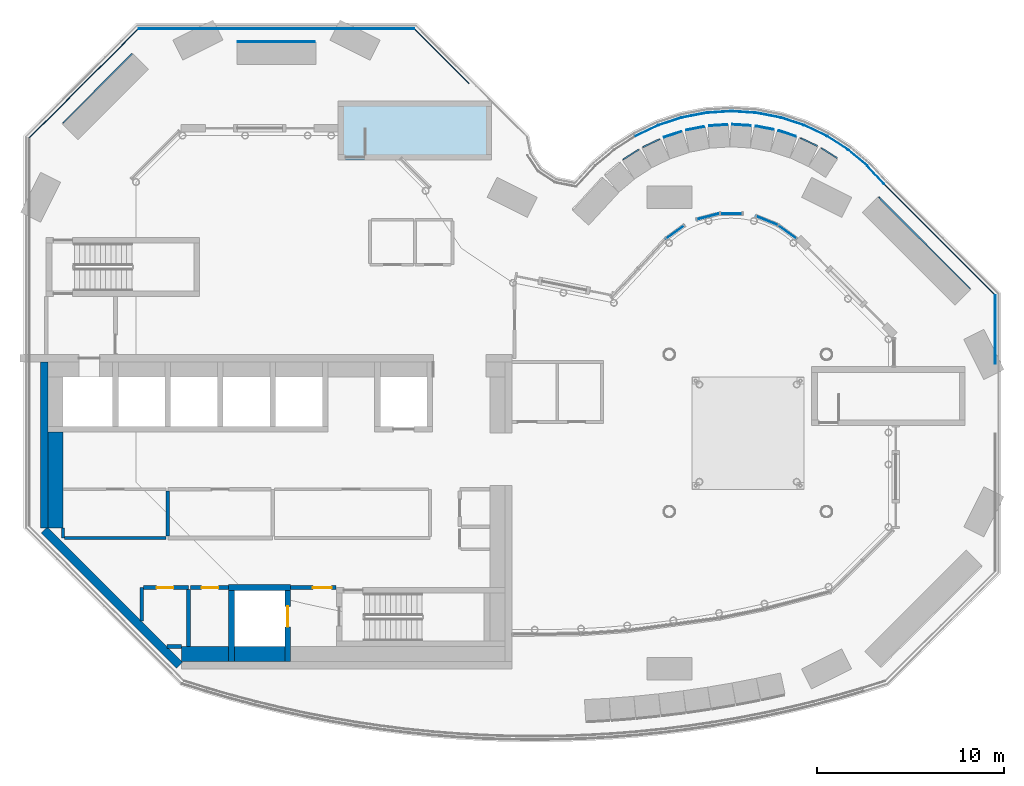
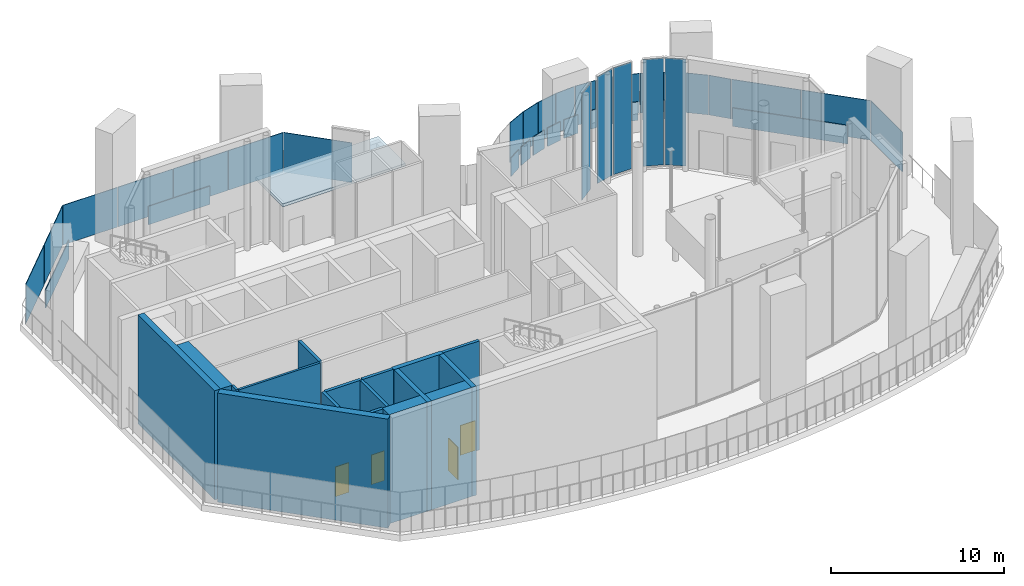
# One storey, part 7 of 14: 39 plates, 17 walls, 4 doors, 1 slab, 4 openings, 5 elements without a shape of their own.
"""IFC4 building model written with IfcOpenShell, lengths in metres."""

from ifc_helpers import new_model, si_unit, direction, frame, frame_2d, origin, origin_2d, place, context, subcontext, project, spatial, polyline, rectangle, outline, extrude, material, layer, layer_set, type_object, element, fill, aggregate, save


model = new_model("IFC4")

# Units and contexts
model_context = context("Model", 3, precision=1e-05, world=origin(), true_north=direction((0.0, 1.0)))
body_context = subcontext(model_context, "Body", "Model", "MODEL_VIEW")
ifc_project = project(units=[si_unit("LENGTHUNIT", "METRE"), si_unit("AREAUNIT", "SQUARE_METRE"), si_unit("VOLUMEUNIT", "CUBIC_METRE"), si_unit("PLANEANGLEUNIT", "RADIAN"), si_unit("MASSUNIT", "GRAM", prefix="KILO")], contexts=[model_context])

# Site, building, storey
site_placement = place(None, origin())
site = spatial("IfcSite", under=ifc_project, at=site_placement, CompositionType="ELEMENT")
building_placement = place(site_placement, origin())
building = spatial("IfcBuilding", under=site, at=building_placement, Name="Brevane Broadcast Tower", CompositionType="ELEMENT")
storey_placement = place(building_placement, frame((0.0, 0.0, 256.199951171875)))
storey = spatial("IfcBuildingStorey", under=building, at=storey_placement, Name="L65", CompositionType="ELEMENT", Elevation=256.199951171875)

# Curtain wall, plate
ifc_material_1 = material(Name="Aluminium 6063-T6 bronze anodised", Category="aluminium")
curtain_wall_type = type_object("IfcCurtainWallType", Name="CW-5 curtain wall", PredefinedType="NOTDEFINED", material=ifc_material_1)
curtain_wall_1_placement = place(storey_placement, origin())
curtain_wall_1 = element("IfcCurtainWall", 1, at=curtain_wall_1_placement, inside=storey, type_object=curtain_wall_type, Name="CW-5 hall glazing 10", PredefinedType="NOTDEFINED")
ifc_material_2 = material(Name="Laminated glass bronze-tinted", Category="glass")
ifc_layer_1 = layer(ifc_material_2, 0.0400390625)
ifc_layer_set_1 = layer_set([ifc_layer_1], Name="CW tall glass panel 40")
plate_type_1 = type_object("IfcPlateType", Name="CW tall glass panel 40", PredefinedType="CURTAIN_PANEL", material=ifc_layer_set_1)
plate_1_placement = place(storey_placement, frame((39.89404296875, 23.344482421875, 0.080078125), z_axis=(0.0, 0.0, 1.0), x_axis=(-0.80514002103, 0.593084771795, 0.0)))
plate_1 = element("IfcPlate", 2, at=plate_1_placement, type_object=plate_type_1, Name="Hall glass panel", PredefinedType="CURTAIN_PANEL", context=body_context, shape_type="SweptSolid", body=[
    extrude(rectangle(XDim=1.203369140625, YDim=0.0400390625, at=origin_2d()), origin(), (0.0, 0.0, 1.0), 7.5400390625),
])
aggregate(curtain_wall_1, [plate_1])

curtain_wall_2_placement = place(storey_placement, origin())
curtain_wall_2 = element("IfcCurtainWall", 3, at=curtain_wall_2_placement, inside=storey, type_object=curtain_wall_type, Name="CW-5 hall glazing 11", PredefinedType="NOTDEFINED")
plate_2_placement = place(storey_placement, frame((38.77685546875, 23.96630859375, 0.080078125), z_axis=(0.0, 0.0, 1.0), x_axis=(-0.92831916405, 0.371784251491, 0.0)))
plate_2 = element("IfcPlate", 4, at=plate_2_placement, type_object=plate_type_1, Name="Hall glass panel", PredefinedType="CURTAIN_PANEL", context=body_context, shape_type="SweptSolid", body=[
    extrude(rectangle(XDim=1.203369140625, YDim=0.0400390625, at=origin_2d()), origin(), (0.0, 0.0, 1.0), 7.5400390625),
])
aggregate(curtain_wall_2, [plate_2])

curtain_wall_3_placement = place(storey_placement, origin())
curtain_wall_3 = element("IfcCurtainWall", 5, at=curtain_wall_3_placement, inside=storey, type_object=curtain_wall_type, Name="CW-5 hall glazing 12", PredefinedType="NOTDEFINED")
plate_3_placement = place(storey_placement, frame((36.89990234375, 24.328125, 0.080078125), z_axis=(0.0, 0.0, 1.0), x_axis=(-1.0, 0.0, 0.0)))
plate_3 = element("IfcPlate", 6, at=plate_3_placement, type_object=plate_type_1, Name="Hall glass panel", PredefinedType="CURTAIN_PANEL", context=body_context, shape_type="SweptSolid", body=[
    extrude(rectangle(XDim=1.203369140625, YDim=0.0400390625, at=origin_2d()), origin(), (0.0, 0.0, 1.0), 7.5400390625),
])
aggregate(curtain_wall_3, [plate_3])

curtain_wall_4_placement = place(storey_placement, origin())
curtain_wall_4 = element("IfcCurtainWall", 7, at=curtain_wall_4_placement, inside=storey, type_object=curtain_wall_type, Name="CW-5 hall glazing 13", PredefinedType="NOTDEFINED")
plate_4_placement = place(storey_placement, frame((35.6318359375, 24.166259765625, 0.080078125), z_axis=(0.0, 0.0, 1.0), x_axis=(-0.967926714692, -0.251232710819, 0.0)))
plate_4 = element("IfcPlate", 8, at=plate_4_placement, type_object=plate_type_1, Name="Hall glass panel", PredefinedType="CURTAIN_PANEL", context=body_context, shape_type="SweptSolid", body=[
    extrude(rectangle(XDim=1.203369140625, YDim=0.0400390625, at=origin_2d()), origin(), (0.0, 0.0, 1.0), 7.5400390625),
])
aggregate(curtain_wall_4, [plate_4])

curtain_wall_5_placement = place(storey_placement, origin())
curtain_wall_5 = element("IfcCurtainWall", 9, at=curtain_wall_5_placement, inside=storey, type_object=curtain_wall_type, Name="CW-5 hall glazing 14", PredefinedType="NOTDEFINED")
plate_5_placement = place(storey_placement, frame((33.906005859375, 23.344482421875, 0.080078125), z_axis=(0.0, 0.0, 1.0), x_axis=(-0.80514002103, -0.593084771795, 0.0)))
plate_5 = element("IfcPlate", 10, at=plate_5_placement, type_object=plate_type_1, Name="Hall glass panel", PredefinedType="CURTAIN_PANEL", context=body_context, shape_type="SweptSolid", body=[
    extrude(rectangle(XDim=1.203369140625, YDim=0.0400390625, at=origin_2d()), origin(), (0.0, 0.0, 1.0), 7.5400390625),
])
aggregate(curtain_wall_5, [plate_5])

# Plates
ifc_material_3 = material(Name="Laminated glass clear", Category="glass")
ifc_layer_2 = layer(ifc_material_3, 0.0400390625)
ifc_layer_set_2 = layer_set([ifc_layer_2], Name="Deck wind screen 2800")
plate_type_2 = type_object("IfcPlateType", Name="Deck wind screen 2800", PredefinedType="SHEET", material=ifc_layer_set_2)
for number, where, z_axis, x_axis, name in (
    (11, (0.85595703125, 29.831787109375, 0.0), (0.0, 0.0, 1.0), (0.707106781187, 0.707106781187, 0.0), "Deck wind screen"),
    (12, (3.768310546875, 32.743896484375, 0.0), (0.0, 0.0, 1.0), (0.707106781187, 0.707106781187, 0.0), "Deck wind screen"),
):
    element("IfcPlate", number, at=place(storey_placement, frame(where, z_axis=z_axis, x_axis=x_axis)), inside=storey, type_object=plate_type_2, Name=name, PredefinedType="SHEET", context=body_context, shape_type="SweptSolid", body=[
        extrude(rectangle(XDim=4.078369140625, YDim=0.0400390625, at=origin_2d()), origin(), (0.0, 0.0, 1.0), 2.800048828125),
    ])
for number, where, z_axis, x_axis, name in (
    (13, (7.068115234375, 34.199951171875, 0.0), (0.0, 0.0, 1.0), (1.0, 0.0, 0.0), "Deck wind screen"),
    (14, (10.756103515625, 34.199951171875, 0.0), (0.0, 0.0, 1.0), (1.0, 0.0, 0.0), "Deck wind screen"),
    (15, (14.44384765625, 34.199951171875, 0.0), (0.0, 0.0, 1.0), (1.0, 0.0, 0.0), "Deck wind screen"),
    (16, (18.1318359375, 34.199951171875, 0.0), (0.0, 0.0, 1.0), (1.0, 0.0, 0.0), "Deck wind screen"),
):
    element("IfcPlate", number, at=place(storey_placement, frame(where, z_axis=z_axis, x_axis=x_axis)), inside=storey, type_object=plate_type_2, Name=name, PredefinedType="SHEET", context=body_context, shape_type="SweptSolid", body=[
        extrude(rectangle(XDim=3.64794921875, YDim=0.0400390625, at=origin_2d()), origin(), (0.0, 0.0, 1.0), 2.800048828125),
    ])
plate_6_placement = place(storey_placement, frame((21.437744140625, 32.738037109375, 0.0), z_axis=(0.0, 0.0, 1.0), x_axis=(0.707106781187, -0.707106781187, 0.0)))
element("IfcPlate", 17, at=plate_6_placement, inside=storey, type_object=plate_type_2, Name="Deck wind screen", PredefinedType="SHEET", context=body_context, shape_type="SweptSolid", body=[
    extrude(rectangle(XDim=4.094970703125, YDim=0.0400390625, at=origin_2d()), origin(), (0.0, 0.0, 1.0), 2.800048828125),
])
for number, where, z_axis, x_axis, name in (
    (18, (32.386474609375, 28.75830078125, 0.0), (0.0, 0.0, 1.0), (0.902860451507, 0.429933721758, 0.0), "Deck wind screen"),
    (19, (33.623046875, 29.253662109375, 0.0), (0.0, 0.0, 1.0), (0.950037087087, 0.312137042274, 0.0), "Deck wind screen"),
    (20, (34.91259765625, 29.58837890625, 0.0), (0.0, 0.0, 1.0), (0.981916174558, 0.189316206757, 0.0), "Deck wind screen"),
    (21, (36.23388671875, 29.757080078125, 0.0), (0.0, 0.0, 1.0), (0.997985285619, 0.06344580119, 0.0), "Deck wind screen"),
    (22, (37.566162109375, 29.757080078125, 0.0), (0.0, 0.0, 1.0), (0.997985285619, -0.06344580119, 0.0), "Deck wind screen"),
    (23, (38.887451171875, 29.58837890625, 0.0), (0.0, 0.0, 1.0), (0.981916174558, -0.189316206757, 0.0), "Deck wind screen"),
    (24, (40.177001953125, 29.253662109375, 0.0), (0.0, 0.0, 1.0), (0.950037087087, -0.312137042274, 0.0), "Deck wind screen"),
    (25, (41.41357421875, 28.75830078125, 0.0), (0.0, 0.0, 1.0), (0.902860451507, -0.429933721758, 0.0), "Deck wind screen"),
    (26, (42.577392578125, 28.110595703125, 0.0), (0.0, 0.0, 1.0), (0.841146502794, -0.54080732321, 0.0), "Deck wind screen"),
    (27, (43.650146484375, 27.320556640625, 0.0), (0.0, 0.0, 1.0), (0.765889367392, -0.642972376479, 0.0), "Deck wind screen"),
):
    element("IfcPlate", number, at=place(storey_placement, frame(where, z_axis=z_axis, x_axis=x_axis)), inside=storey, type_object=plate_type_2, Name=name, PredefinedType="SHEET", context=body_context, shape_type="SweptSolid", body=[
        extrude(rectangle(XDim=1.294921875, YDim=0.0400390625, at=origin_2d()), origin(), (0.0, 0.0, 1.0), 2.800048828125),
    ])
plate_7_placement = place(storey_placement, frame((44.622314453125, 26.3916015625, 0.0), z_axis=(0.0, 0.0, 1.0), x_axis=(0.678300068097, -0.734785014559, 0.0)))
element("IfcPlate", 28, at=plate_7_placement, inside=storey, type_object=plate_type_2, Name="Deck wind screen", PredefinedType="SHEET", context=body_context, shape_type="SweptSolid", body=[
    extrude(rectangle(XDim=1.31982421875, YDim=0.0400390625, at=origin_2d()), origin(), (0.0, 0.0, 1.0), 2.800048828125),
])
for number, where, z_axis, x_axis, name in (
    (29, (46.562744140625, 24.4130859375, 0.0), (0.0, 0.0, 1.0), (0.707106781187, -0.707106781187, 0.0), "Deck wind screen"),
    (30, (49.52099609375, 21.454833984375, 0.0), (0.0, 0.0, 1.0), (0.707106781187, -0.707106781187, 0.0), "Deck wind screen"),
):
    element("IfcPlate", number, at=place(storey_placement, frame(where, z_axis=z_axis, x_axis=x_axis)), inside=storey, type_object=plate_type_2, Name=name, PredefinedType="SHEET", context=body_context, shape_type="SweptSolid", body=[
        extrude(rectangle(XDim=4.1435546875, YDim=0.0400390625, at=origin_2d()), origin(), (0.0, 0.0, 1.0), 2.800048828125),
    ])
plate_8_placement = place(storey_placement, frame((51.0, 18.1318359375, 0.0), z_axis=(0.0, 0.0, 1.0), x_axis=(0.0, -1.0, 0.0)))
element("IfcPlate", 31, at=plate_8_placement, inside=storey, type_object=plate_type_2, Name="Deck wind screen", PredefinedType="SHEET", context=body_context, shape_type="SweptSolid", body=[
    extrude(rectangle(XDim=3.64794921875, YDim=0.0400390625, at=origin_2d()), origin(), (0.0, 0.0, 1.0), 2.800048828125),
])
ifc_material_4 = material(Name="Aluminium bronze anodised", Category="aluminium")
ifc_layer_3 = layer(ifc_material_4, 0.050048828125)
ifc_layer_set_3 = layer_set([ifc_layer_3], Name="Planter fascia plate 1300")
plate_type_3 = type_object("IfcPlateType", Name="Planter fascia plate 1300", PredefinedType="SHEET", material=ifc_layer_set_3)
plate_9_placement = place(storey_placement, frame((49.67529296875, 20.345947265625, 0.0), z_axis=(0.707106781187, 0.707106781187, 0.0), x_axis=(-0.707106781187, 0.707106781187, 0.0)))
element("IfcPlate", 32, at=plate_9_placement, inside=storey, type_object=plate_type_3, Name="Bed fascia L65-10", PredefinedType="SHEET", context=body_context, shape_type="SweptSolid", body=[
    extrude(outline(polyline([(0.0, 0.0), (6.88911211182382, 0.0), (6.88911211182382, 1.3000488281250002), (0.0, 1.3000488281250002), (0.0, 0.0)])), origin(), (0.0, 0.0, -1.0), 0.050048828125),
])
plate_10_placement = place(storey_placement, frame((42.55810546875, 27.320556640625, 0.0), z_axis=(0.540795605546, 0.841154036442, 0.0), x_axis=(-0.841154036442, 0.540795605546, 0.0)))
element("IfcPlate", 33, at=plate_10_placement, inside=storey, type_object=plate_type_3, Name="Bed fascia L65-11", PredefinedType="SHEET", context=body_context, shape_type="SweptSolid", body=[
    extrude(outline(polyline([(0.0, 0.0), (0.9737714632384196, 0.0), (0.9737714632384196, 1.300048828125), (0.0, 1.300048828125), (0.0, 0.0)])), origin(), (0.0, 0.0, -1.0), 0.050048828125),
])
plate_11_placement = place(storey_placement, frame((41.494384765625, 27.972412109375, 0.0), z_axis=(0.429680557836, 0.902980962267, 0.0), x_axis=(-0.902980962267, 0.429680557836, 0.0)))
element("IfcPlate", 34, at=plate_11_placement, inside=storey, type_object=plate_type_3, Name="Bed fascia L65-12", PredefinedType="SHEET", context=body_context, shape_type="SweptSolid", body=[
    extrude(outline(polyline([(0.0, 0.0), (0.9738793706588977, 0.0), (0.9738793706588977, 1.300048828125), (0.0, 1.300048828125), (0.0, 0.0)])), origin(), (0.0, 0.0, -1.0), 0.050048828125),
])
plate_12_placement = place(storey_placement, frame((40.356689453125, 28.484130859375, 0.0), z_axis=(0.312088645946, 0.950052986455, 0.0), x_axis=(-0.950052986455, 0.312088645946, 0.0)))
element("IfcPlate", 35, at=plate_12_placement, inside=storey, type_object=plate_type_3, Name="Bed fascia L65-13", PredefinedType="SHEET", context=body_context, shape_type="SweptSolid", body=[
    extrude(outline(polyline([(0.0, 0.0), (0.9739382770669625, 0.0), (0.9739382770669625, 1.300048828125), (0.0, 1.300048828125), (0.0, 0.0)])), origin(), (0.0, 0.0, -1.0), 0.050048828125),
])
plate_13_placement = place(storey_placement, frame((39.1630859375, 28.84765625, 0.0), z_axis=(0.189554118391, 0.981870274629, 0.0), x_axis=(-0.981870274629, 0.189554118391, 0.0)))
element("IfcPlate", 36, at=plate_13_placement, inside=storey, type_object=plate_type_3, Name="Bed fascia L65-14", PredefinedType="SHEET", context=body_context, shape_type="SweptSolid", body=[
    extrude(outline(polyline([(0.0, 0.0), (0.9737077414435352, 0.0), (0.9737077414435352, 1.3000488281250002), (0.0, 1.3000488281250002), (0.0, 0.0)])), origin(), (0.0, 0.0, -1.0), 0.050048828125),
])
plate_14_placement = place(storey_placement, frame((37.933349609375, 29.057373046875, 0.0), z_axis=(0.063423920906, 0.997986676392, 0.0), x_axis=(-0.997986676392, 0.063423920906, 0.0)))
element("IfcPlate", 37, at=plate_14_placement, inside=storey, type_object=plate_type_3, Name="Bed fascia L65-15", PredefinedType="SHEET", context=body_context, shape_type="SweptSolid", body=[
    extrude(outline(polyline([(0.0, 0.0), (0.9738845729266803, 0.0), (0.9738845729266803, 1.300048828125), (0.0, 1.300048828125), (0.0, 0.0)])), origin(), (0.0, 0.0, -1.0), 0.050048828125),
])
plate_15_placement = place(storey_placement, frame((36.686767578125, 29.109375, 0.0), z_axis=(-0.063439792438, 0.9979856676, 0.0), x_axis=(-0.9979856676, -0.063439792438, 0.0)))
element("IfcPlate", 38, at=plate_15_placement, inside=storey, type_object=plate_type_3, Name="Bed fascia L65-16", PredefinedType="SHEET", context=body_context, shape_type="SweptSolid", body=[
    extrude(outline(polyline([(0.0, 0.0), (0.9736409239588923, 0.0), (0.9736409239588923, 1.300048828125), (0.0, 1.300048828125), (0.0, 0.0)])), origin(), (0.0, 0.0, -1.0), 0.050048828125),
])
plate_16_placement = place(storey_placement, frame((35.44384765625, 29.00341796875, 0.0), z_axis=(-0.189265777771, 0.981925896066, 0.0), x_axis=(-0.981925896066, -0.189265777771, 0.0)))
element("IfcPlate", 39, at=plate_16_placement, inside=storey, type_object=plate_type_3, Name="Bed fascia L65-17", PredefinedType="SHEET", context=body_context, shape_type="SweptSolid", body=[
    extrude(outline(polyline([(0.0, 0.0), (0.9739012199968436, 0.0), (0.9739012199968436, 1.3000488281250002), (0.0, 1.3000488281250002), (0.0, 0.0)])), origin(), (0.0, 0.0, -1.0), 0.050048828125),
])
plate_17_placement = place(storey_placement, frame((34.22412109375, 28.74072265625, 0.0), z_axis=(-0.312162987609, 0.95002856229, 0.0), x_axis=(-0.95002856229, -0.312162987609, 0.0)))
element("IfcPlate", 40, at=plate_17_placement, inside=storey, type_object=plate_type_3, Name="Bed fascia L65-18", PredefinedType="SHEET", context=body_context, shape_type="SweptSolid", body=[
    extrude(outline(polyline([(0.0, 0.0), (0.9737063335181767, 0.0), (0.9737063335181767, 1.300048828125), (0.0, 1.300048828125), (0.0, 0.0)])), origin(), (0.0, 0.0, -1.0), 0.050048828125),
])
plate_18_placement = place(storey_placement, frame((33.047607421875, 28.32568359375, 0.0), z_axis=(-0.429982240476, 0.902837345747, 0.0), x_axis=(-0.902837345747, -0.429982240476, 0.0)))
element("IfcPlate", 41, at=plate_18_placement, inside=storey, type_object=plate_type_3, Name="Bed fascia L65-19", PredefinedType="SHEET", context=body_context, shape_type="SweptSolid", body=[
    extrude(outline(polyline([(0.0, 0.0), (0.9737638731569314, 0.0), (0.9737638731569314, 1.3000488281250002), (0.0, 1.3000488281250002), (0.0, 0.0)])), origin(), (0.0, 0.0, -1.0), 0.050048828125),
])
plate_19_placement = place(storey_placement, frame((31.93310546875, 27.764892578125, 0.0), z_axis=(-0.540795605546, 0.841154036442, 0.0), x_axis=(-0.841154036442, -0.540795605546, 0.0)))
element("IfcPlate", 42, at=plate_19_placement, inside=storey, type_object=plate_type_3, Name="Bed fascia L65-20", PredefinedType="SHEET", context=body_context, shape_type="SweptSolid", body=[
    extrude(outline(polyline([(0.0, 0.0), (0.9737714632384196, 0.0), (0.9737714632384196, 1.300048828125), (0.0, 1.300048828125), (0.0, 0.0)])), origin(), (0.0, 0.0, -1.0), 0.050048828125),
])
plate_20_placement = place(storey_placement, frame((14.6533203125, 33.52490234375, 0.0), z_axis=(0.0, 1.0, 0.0), x_axis=(-1.0, 0.0, 0.0)))
element("IfcPlate", 43, at=plate_20_placement, inside=storey, type_object=plate_type_3, Name="Bed fascia L65-23", PredefinedType="SHEET", context=body_context, shape_type="SweptSolid", body=[
    extrude(outline(polyline([(0.0, 0.0), (4.106689453125, 0.0), (4.106689453125, 1.300048828125), (0.0, 1.300048828125), (0.0, 0.0)])), origin(), (0.0, 0.0, -1.0), 0.050048828125),
])
plate_21_placement = place(storey_placement, frame((4.85400390625, 32.875244140625, 0.0), z_axis=(-0.707106781187, 0.707106781187, 0.0), x_axis=(-0.707106781187, -0.707106781187, 0.0)))
element("IfcPlate", 44, at=plate_21_placement, inside=storey, type_object=plate_type_3, Name="Bed fascia L65-24", PredefinedType="SHEET", context=body_context, shape_type="SweptSolid", body=[
    extrude(outline(polyline([(0.0, 0.0), (5.205245035726754, 0.0), (5.205245035726754, 1.3000488281250002), (0.0, 1.3000488281250002), (0.0, 0.0)])), origin(), (0.0, 0.0, -1.0), 0.050048828125),
])

# Slab
ifc_material_5 = material(Name="Concrete C50/60", Category="concrete")
ifc_layer_4 = layer(ifc_material_5, 0.199951171875)
ifc_layer_set_4 = layer_set([ifc_layer_4], Name="Stair head-house roof slab 200 mm")
slab_type = type_object("IfcSlabType", Name="Stair head-house roof slab 200 mm", PredefinedType="ROOF", material=ifc_layer_set_4)
slab_placement = place(storey_placement, frame((0.0, 0.0, 3.199951171875)))
element("IfcSlab", 45, at=slab_placement, inside=storey, type_object=slab_type, Name="Exit stair ST-3 head-house roof", PredefinedType="ROOF", context=body_context, shape_type="SweptSolid", body=[
    extrude(outline(polyline([(15.89990234375, 27.199951171875), (24.10009765625, 27.199951171875), (24.10009765625, 30.35009765625), (15.89990234375, 30.35009765625), (15.89990234375, 27.199951171875)])), origin(), (0.0, 0.0, 1.0), 0.2001953125),
])

# Walls
ifc_material_6 = material(Name="Concrete C32/40", Category="concrete")
ifc_layer_5 = layer(ifc_material_6, 0.800048828125)
ifc_layer_set_5 = layer_set([ifc_layer_5], Name="Core chase wall 800 mm")
wall_type_1 = type_object("IfcWallType", Name="Core chase wall 800 mm", PredefinedType="PARTITIONING", material=ifc_layer_set_5)
wall_1_placement = place(storey_placement, frame((0.800048828125, 7.536376953125, 0.0), z_axis=(0.0, 0.0, 1.0), x_axis=(0.0, 1.0, 0.0)))
element("IfcWall", 46, at=wall_1_placement, inside=storey, type_object=wall_type_1, Name="L65 chase wall LW-1", PredefinedType="PARTITIONING", context=body_context, shape_type="SweptSolid", body=[
    extrude(rectangle(XDim=5.113525390625, YDim=0.800048828125, at=frame_2d((2.556640625, 0.0))), origin(), (0.0, 0.0, 1.0), 7.699951171875),
])
wall_2_placement = place(storey_placement, frame((7.536376953125, 0.800048828125, 0.0), z_axis=(0.0, 0.0, 1.0), x_axis=(1.0, 0.0, 0.0)))
element("IfcWall", 47, at=wall_2_placement, inside=storey, type_object=wall_type_1, Name="L65 chase wall LS-1", PredefinedType="PARTITIONING", context=body_context, shape_type="SweptSolid", body=[
    extrude(rectangle(XDim=2.513671875, YDim=0.800048828125, at=frame_2d((1.2568359375, 0.0))), origin(), (0.0, 0.0, 1.0), 7.699951171875),
])
wall_3_placement = place(storey_placement, frame((10.35009765625, 0.800048828125, 0.0), z_axis=(0.0, 0.0, 1.0), x_axis=(1.0, 0.0, 0.0)))
element("IfcWall", 48, at=wall_3_placement, inside=storey, type_object=wall_type_1, Name="L65 chase wall LS-2-1", PredefinedType="PARTITIONING", context=body_context, shape_type="SweptSolid", body=[
    extrude(rectangle(XDim=2.699951171875, YDim=0.800048828125, at=frame_2d((1.35009765625, 0.0))), origin(), (0.0, 0.0, 1.0), 7.699951171875),
])
ifc_material_7 = material(Name="Gypsum board on steel studs", Category="steel")
ifc_layer_6 = layer(ifc_material_7, 0.14990234375)
ifc_layer_set_6 = layer_set([ifc_layer_6], Name="Core fire partition 150 mm")
wall_type_2 = type_object("IfcWallType", Name="Core fire partition 150 mm", PredefinedType="PARTITIONING", material=ifc_layer_set_6)
wall_4_placement = place(storey_placement, frame((1.199951171875, 7.5244140625, 0.0), z_axis=(0.0, 0.0, 1.0), x_axis=(0.0, -1.0, 0.0)))
element("IfcWall", 49, at=wall_4_placement, inside=storey, type_object=wall_type_2, Name="L65 partition wall P17", PredefinedType="PARTITIONING", context=body_context, shape_type="SweptSolid", body=[
    extrude(rectangle(XDim=0.5244140625, YDim=0.14990234375, at=frame_2d((0.26220703125, 0.0))), origin(), (0.0, 0.0, 1.0), 7.699951171875),
])
wall_5_placement = place(storey_placement, frame((1.27490234375, 7.0, 0.0), z_axis=(0.0, 0.0, 1.0), x_axis=(1.0, 0.0, 0.0)))
element("IfcWall", 50, at=wall_5_placement, inside=storey, type_object=wall_type_2, Name="L65 partition wall P18", PredefinedType="PARTITIONING", context=body_context, shape_type="SweptSolid", body=[
    extrude(rectangle(XDim=5.425048828125, YDim=0.14990234375, at=frame_2d((2.71240234375, 0.0))), origin(), (0.0, 0.0, 1.0), 7.699951171875),
])

# Wall, opening, door
ifc_layer_7 = layer(ifc_material_7, 0.199951171875)
ifc_layer_set_7 = layer_set([ifc_layer_7], Name="Core fire partition 200 mm")
wall_type_3 = type_object("IfcWallType", Name="Core fire partition 200 mm", PredefinedType="PARTITIONING", material=ifc_layer_set_7)
wall_6_placement = place(storey_placement, frame((13.362060546875, 4.35009765625, 0.0), z_axis=(0.0, 0.0, 1.0), x_axis=(1.0, 0.0, 0.0)))
wall_6 = element("IfcWall", 51, at=wall_6_placement, inside=storey, type_object=wall_type_3, Name="L65 partition wall P03", PredefinedType="PARTITIONING", context=body_context, shape_type="SweptSolid", body=[
    extrude(rectangle(XDim=2.426025390625, YDim=0.199951171875, at=frame_2d((1.212890625, 0.0))), origin(), (0.0, 0.0, 1.0), 7.699951171875),
])
opening_1_placement = place(wall_6_placement, frame((1.18798828125, 0.0, 0.0)))
opening_1 = element("IfcOpeningElement", 52, at=opening_1_placement, cuts=wall_6, Name="Opening L65-K12", PredefinedType="OPENING", context=body_context, shape_type="SweptSolid", body=[
    extrude(rectangle(XDim=1.0, YDim=2.10009765625, at=frame_2d((0.5, 1.050048828125))), frame((0.0, 0.10986328125, 0.0), z_axis=(0.0, -1.0, 0.0), x_axis=(1.0, 0.0, 0.0)), (0.0, 0.0, 1.0), 0.219970703125),
])
ifc_material_8 = material(Name="Steel", Category="steel")
door_type_1 = type_object("IfcDoorType", Name="Stair door 1000 x 2100", OperationType="SINGLE_SWING_LEFT", PredefinedType="DOOR", material=ifc_material_8)
door_1_placement = place(opening_1_placement, origin())
door_1 = element("IfcDoor", 53, at=door_1_placement, inside=storey, type_object=door_type_1, Name="Door L65-K12", OperationType="SINGLE_SWING_LEFT", OverallHeight=2.10009765625, OverallWidth=1.0, PredefinedType="DOOR", context=body_context, shape_type="SweptSolid", body=[
    extrude(rectangle(XDim=1.0, YDim=2.10009765625, at=frame_2d((0.5, 1.050048828125))), frame((0.0, 0.02490234375, 0.0), z_axis=(0.0, -1.0, 0.0), x_axis=(1.0, 0.0, 0.0)), (0.0, 0.0, 1.0), 0.050048828125),
])
fill(opening_1, door_1)

# Wall
wall_7_placement = place(storey_placement, frame((5.39990234375, 2.553466796875, 0.0), z_axis=(0.0, 0.0, 1.0), x_axis=(0.0, 1.0, 0.0)))
element("IfcWall", 54, at=wall_7_placement, inside=storey, type_object=wall_type_3, Name="L65 partition wall P04", PredefinedType="PARTITIONING", context=body_context, shape_type="SweptSolid", body=[
    extrude(rectangle(XDim=1.796630859375, YDim=0.199951171875, at=frame_2d((0.8984375, 0.0))), origin(), (0.0, 0.0, 1.0), 7.699951171875),
])

# Wall, opening, door
wall_8_placement = place(storey_placement, frame((5.5, 4.35009765625, 0.0), z_axis=(0.0, 0.0, 1.0), x_axis=(1.0, 0.0, 0.0)))
wall_8 = element("IfcWall", 55, at=wall_8_placement, inside=storey, type_object=wall_type_3, Name="L65 partition wall P05", PredefinedType="PARTITIONING", context=body_context, shape_type="SweptSolid", body=[
    extrude(rectangle(XDim=2.39990234375, YDim=0.199951171875, at=frame_2d((1.199951171875, 0.0))), origin(), (0.0, 0.0, 1.0), 7.699951171875),
])
opening_2_placement = place(wall_8_placement, frame((0.699951171875, 0.0, 0.0)))
opening_2 = element("IfcOpeningElement", 56, at=opening_2_placement, cuts=wall_8, Name="Opening L65-K10", PredefinedType="OPENING", context=body_context, shape_type="SweptSolid", body=[
    extrude(rectangle(XDim=0.89990234375, YDim=2.10009765625, at=frame_2d((0.449951171875, 1.050048828125))), frame((0.0, 0.10986328125, 0.0), z_axis=(0.0, -1.0, 0.0), x_axis=(1.0, 0.0, 0.0)), (0.0, 0.0, 1.0), 0.219970703125),
])
door_type_2 = type_object("IfcDoorType", Name="Service room door 900 x 2100", OperationType="SINGLE_SWING_LEFT", PredefinedType="DOOR", material=ifc_material_8)
door_2_placement = place(opening_2_placement, origin())
door_2 = element("IfcDoor", 57, at=door_2_placement, inside=storey, type_object=door_type_2, Name="Door L65-K10", OperationType="SINGLE_SWING_LEFT", OverallHeight=2.10009765625, OverallWidth=0.89990234375, PredefinedType="DOOR", context=body_context, shape_type="SweptSolid", body=[
    extrude(rectangle(XDim=0.89990234375, YDim=2.10009765625, at=frame_2d((0.449951171875, 1.050048828125))), frame((0.0, 0.02490234375, 0.0), z_axis=(0.0, -1.0, 0.0), x_axis=(1.0, 0.0, 0.0)), (0.0, 0.0, 1.0), 0.050048828125),
])
fill(opening_2, door_2)

# Walls
wall_9_placement = place(storey_placement, frame((7.89990234375, 4.25, 0.0), z_axis=(0.0, 0.0, 1.0), x_axis=(0.0, -1.0, 0.0)))
element("IfcWall", 58, at=wall_9_placement, inside=storey, type_object=wall_type_3, Name="L65 partition wall P06", PredefinedType="PARTITIONING", context=body_context, shape_type="SweptSolid", body=[
    extrude(rectangle(XDim=3.0380859375, YDim=0.199951171875, at=frame_2d((1.51904296875, 0.0))), origin(), (0.0, 0.0, 1.0), 7.699951171875),
])
wall_10_placement = place(storey_placement, frame((7.5244140625, 1.199951171875, 0.0), z_axis=(0.0, 0.0, 1.0), x_axis=(-1.0, 0.0, 0.0)))
element("IfcWall", 59, at=wall_10_placement, inside=storey, type_object=wall_type_3, Name="L65 partition wall P07", PredefinedType="PARTITIONING", context=body_context, shape_type="SweptSolid", body=[
    extrude(rectangle(XDim=0.77099609375, YDim=0.199951171875, at=frame_2d((0.385498046875, 0.0))), origin(), (0.0, 0.0, 1.0), 7.699951171875),
])

# Wall, opening, door
wall_11_placement = place(storey_placement, frame((10.0380859375, 4.35009765625, 0.0), z_axis=(0.0, 0.0, 1.0), x_axis=(-1.0, 0.0, 0.0)))
wall_11 = element("IfcWall", 60, at=wall_11_placement, inside=storey, type_object=wall_type_3, Name="L65 partition wall P08", PredefinedType="PARTITIONING", context=body_context, shape_type="SweptSolid", body=[
    extrude(rectangle(XDim=2.0380859375, YDim=0.199951171875, at=frame_2d((1.01904296875, 0.0))), origin(), (0.0, 0.0, 1.0), 7.699951171875),
])
opening_3_placement = place(wall_11_placement, frame((0.5380859375, 0.0, 0.0)))
opening_3 = element("IfcOpeningElement", 61, at=opening_3_placement, cuts=wall_11, Name="Opening L65-K11", PredefinedType="OPENING", context=body_context, shape_type="SweptSolid", body=[
    extrude(rectangle(XDim=0.89990234375, YDim=2.10009765625, at=frame_2d((0.449951171875, 1.050048828125))), frame((0.0, 0.10986328125, 0.0), z_axis=(0.0, -1.0, 0.0), x_axis=(1.0, 0.0, 0.0)), (0.0, 0.0, 1.0), 0.219970703125),
])
door_3_placement = place(opening_3_placement, origin())
door_3 = element("IfcDoor", 62, at=door_3_placement, inside=storey, type_object=door_type_2, Name="Door L65-K11", OperationType="SINGLE_SWING_RIGHT", OverallHeight=2.10009765625, OverallWidth=0.89990234375, PredefinedType="DOOR", context=body_context, shape_type="SweptSolid", body=[
    extrude(rectangle(XDim=0.89990234375, YDim=2.10009765625, at=frame_2d((0.449951171875, 1.050048828125))), frame((0.0, 0.02490234375, 0.0), z_axis=(0.0, -1.0, 0.0), x_axis=(1.0, 0.0, 0.0)), (0.0, 0.0, 1.0), 0.050048828125),
])
fill(opening_3, door_3)

# Walls
wall_12_placement = place(storey_placement, frame((6.800048828125, 9.5, 0.0), z_axis=(0.0, 0.0, 1.0), x_axis=(0.0, -1.0, 0.0)))
element("IfcWall", 63, at=wall_12_placement, inside=storey, type_object=wall_type_3, Name="L65 partition wall P15", PredefinedType="PARTITIONING", context=body_context, shape_type="SweptSolid", body=[
    extrude(rectangle(XDim=2.39990234375, YDim=0.199951171875, at=frame_2d((1.199951171875, 0.0))), origin(), (0.0, 0.0, 1.0), 7.699951171875),
])
ifc_layer_8 = layer(ifc_material_5, 0.300048828125)
ifc_layer_set_8 = layer_set([ifc_layer_8], Name="Core wall 300 mm C50/60")
wall_type_4 = type_object("IfcWallType", Name="Core wall 300 mm C50/60", PredefinedType="SHEAR", material=ifc_layer_set_8)
wall_13_placement = place(storey_placement, frame((10.199951171875, 0.39990234375, 0.0), z_axis=(0.0, 0.0, 1.0), x_axis=(0.0, 1.0, 0.0)))
element("IfcWall", 64, at=wall_13_placement, inside=storey, type_object=wall_type_4, Name="L65 shaft wall FF2-W", PredefinedType="SHEAR", context=body_context, shape_type="SweptSolid", body=[
    extrude(rectangle(XDim=3.800048828125, YDim=0.300048828125, at=frame_2d((1.89990234375, 0.0))), origin(), (0.0, 0.0, 1.0), 7.699951171875),
])

# Wall, opening, door
wall_14_placement = place(storey_placement, frame((13.199951171875, 0.39990234375, 0.0), z_axis=(0.0, 0.0, 1.0), x_axis=(0.0, 1.0, 0.0)))
wall_14 = element("IfcWall", 65, at=wall_14_placement, inside=storey, type_object=wall_type_4, Name="L65 shaft wall FF2-E", PredefinedType="SHEAR", context=body_context, shape_type="SweptSolid", body=[
    extrude(rectangle(XDim=3.800048828125, YDim=0.300048828125, at=frame_2d((1.89990234375, 0.0))), origin(), (0.0, 0.0, 1.0), 7.699951171875),
])
opening_4_placement = place(wall_14_placement, frame((1.85009765625, 0.0, 0.0)))
opening_4 = element("IfcOpeningElement", 66, at=opening_4_placement, cuts=wall_14, Name="Opening LD", PredefinedType="OPENING", context=body_context, shape_type="SweptSolid", body=[
    extrude(rectangle(XDim=1.10009765625, YDim=2.300048828125, at=frame_2d((0.550048828125, 1.14990234375))), frame((0.0, 0.159912109375, 0.0), z_axis=(0.0, -1.0, 0.0), x_axis=(1.0, 0.0, 0.0)), (0.0, 0.0, 1.0), 0.320068359375),
])
ifc_material_9 = material(Name="Stainless steel", Category="steel")
door_type_3 = type_object("IfcDoorType", Name="Lift landing door", OperationType="SLIDING_TO_LEFT", PredefinedType="DOOR", material=ifc_material_9)
door_4_placement = place(opening_4_placement, origin())
door_4 = element("IfcDoor", 67, at=door_4_placement, inside=storey, type_object=door_type_3, Name="Landing door FF2 L65", OperationType="SLIDING_TO_LEFT", OverallHeight=2.300048828125, OverallWidth=1.10009765625, PredefinedType="DOOR", context=body_context, shape_type="SweptSolid", body=[
    extrude(rectangle(XDim=1.10009765625, YDim=2.300048828125, at=frame_2d((0.550048828125, 1.14990234375))), frame((0.0, 0.02490234375, 0.0), z_axis=(0.0, -1.0, 0.0), x_axis=(1.0, 0.0, 0.0)), (0.0, 0.0, 1.0), 0.050048828125),
])
fill(opening_4, door_4)

# Walls
wall_15_placement = place(storey_placement, frame((10.050048828125, 4.35009765625, 0.0), z_axis=(0.0, 0.0, 1.0), x_axis=(1.0, 0.0, 0.0)))
element("IfcWall", 68, at=wall_15_placement, inside=storey, type_object=wall_type_4, Name="L65 shaft wall FF2-N", PredefinedType="SHEAR", context=body_context, shape_type="SweptSolid", body=[
    extrude(rectangle(XDim=3.300048828125, YDim=0.300048828125, at=frame_2d((1.64990234375, 0.0))), origin(), (0.0, 0.0, 1.0), 7.699951171875),
])
ifc_layer_9 = layer(ifc_material_5, 0.39990234375)
ifc_layer_set_9 = layer_set([ifc_layer_9], Name="Core wall 400 mm C50/60")
wall_type_5 = type_object("IfcWallType", Name="Core wall 400 mm C50/60", PredefinedType="SHEAR", material=ifc_layer_set_9)
wall_16_placement = place(storey_placement, frame((0.199951171875, 7.536376953125, 0.0), z_axis=(0.0, 0.0, 1.0), x_axis=(0.0, 1.0, 0.0)))
element("IfcWall", 69, at=wall_16_placement, inside=storey, type_object=wall_type_5, Name="L65 outer wall WW", PredefinedType="SHEAR", context=body_context, shape_type="SweptSolid", body=[
    extrude(rectangle(XDim=8.863525390625, YDim=0.39990234375, at=frame_2d((4.431640625, 0.0))), origin(), (0.0, 0.0, 1.0), 7.699951171875),
])
ifc_layer_10 = layer(ifc_material_5, 0.449951171875)
ifc_layer_set_10 = layer_set([ifc_layer_10], Name="Core wall 450 mm C50/60")
wall_type_6 = type_object("IfcWallType", Name="Core wall 450 mm C50/60", PredefinedType="SHEAR", material=ifc_layer_set_10)
wall_17_placement = place(storey_placement, frame((0.199951171875, 7.418212890625, 0.0), z_axis=(0.0, 0.0, 1.0), x_axis=(0.707106781187, -0.707106781187, 0.0)))
element("IfcWall", 70, at=wall_17_placement, inside=storey, type_object=wall_type_6, Name="L65 outer wall WC", PredefinedType="SHEAR", context=body_context, shape_type="SweptSolid", body=[
    extrude(rectangle(XDim=10.208251953125, YDim=0.449951171875, at=frame_2d((5.10400390625, 0.0))), origin(), (0.0, 0.0, 1.0), 7.699951171875),
])

save(model, "model.ifc")
